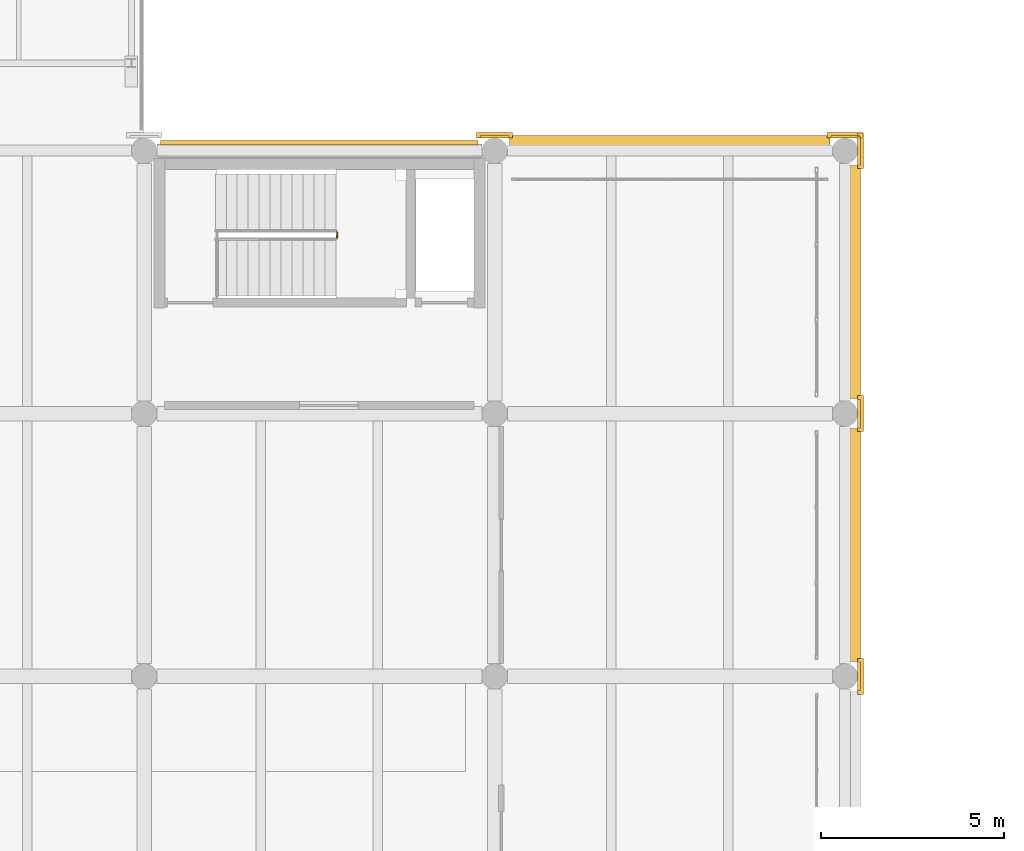
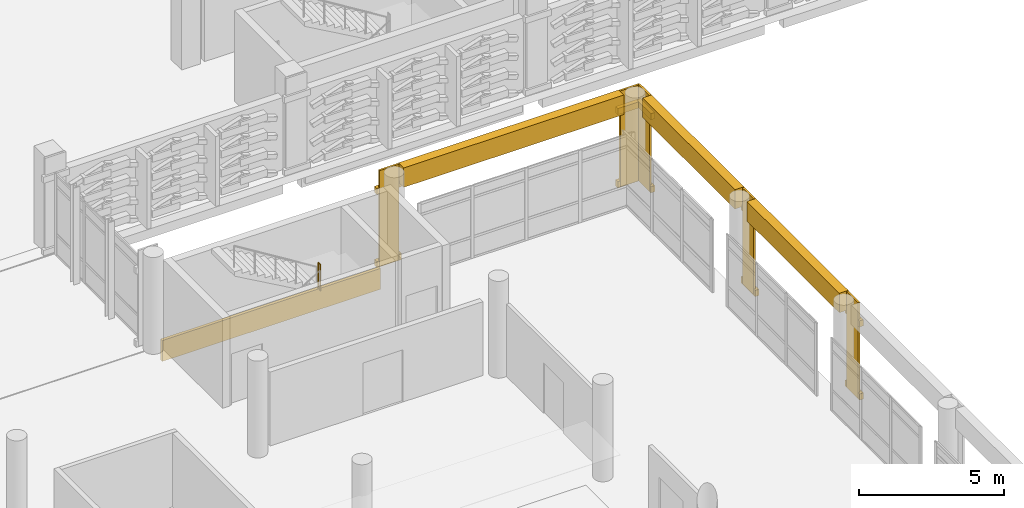
# One storey, part 164 of 180: 19 coverings, 1 railing.
"""IFC4 building model written with IfcOpenShell, lengths in metres."""

from ifc_helpers import new_model, si_unit, direction, frame, origin, origin_2d, place, context, subcontext, project, spatial, rectangle, circle, extrude, material, layer, layer_set, type_object, element, save


model = new_model("IFC4")

# Units and contexts
model_context = context("Model", 3, precision=1e-05, world=origin(), true_north=direction((0.0, 1.0)))
body_context = subcontext(model_context, "Body", "Model", "MODEL_VIEW")
ifc_project = project(units=[si_unit("LENGTHUNIT", "METRE"), si_unit("AREAUNIT", "SQUARE_METRE"), si_unit("VOLUMEUNIT", "CUBIC_METRE"), si_unit("PLANEANGLEUNIT", "RADIAN"), si_unit("MASSUNIT", "GRAM", prefix="KILO")], contexts=[model_context])

# Site, building, storey
site_placement = place(None, origin())
site = spatial("IfcSite", under=ifc_project, at=site_placement, CompositionType="ELEMENT")
building_placement = place(site_placement, origin())
building = spatial("IfcBuilding", under=site, at=building_placement, Name="Asteropetra Specialist Clinic", CompositionType="ELEMENT")
storey_placement = place(building_placement, frame((0.0, 0.0, 4.419921875)))
storey = spatial("IfcBuildingStorey", under=building, at=storey_placement, Name="L01", CompositionType="ELEMENT", Elevation=4.419921875)

# Coverings
ifc_material_1 = material(Name="Pentelic marble ashlar", Category="masonry")
ifc_layer = layer(ifc_material_1, 0.159912109375)
ifc_layer_set = layer_set([ifc_layer], Name="Pentelic marble ashlar")
covering_type = type_object("IfcCoveringType", Name="CRN-ENTAB-600", PredefinedType="MOLDING", material=ifc_layer_set)
covering_1_placement = place(storey_placement, frame((43.199951171875, 62.639892578125, 3.25), z_axis=(0.0, 0.0, 1.0), x_axis=(1.0, 0.0, 0.0)))
element("IfcCovering", 1, at=covering_1_placement, inside=storey, type_object=covering_type, Name="Stoa Classical Entablature SE-0038", PredefinedType="MOLDING", context=body_context, shape_type="SweptSolid", body=[
    extrude(rectangle(XDim=8.780029296875, YDim=0.360107421875, at=origin_2d()), origin(), (0.0, 0.0, 1.0), 0.820068359375),
])
for number, where, z_axis, x_axis, name in (
    (2, (48.239990234375, 51.60009765625, 3.25), (0.0, 0.0, 1.0), (1.0, 0.0, 0.0), "Stoa Classical Entablature SE-0043"),
    (3, (48.239990234375, 58.800048828125, 3.25), (0.0, 0.0, 1.0), (1.0, 0.0, 0.0), "Stoa Classical Entablature SE-0045"),
):
    element("IfcCovering", number, at=place(storey_placement, frame(where, z_axis=z_axis, x_axis=x_axis)), inside=storey, type_object=covering_type, Name=name, PredefinedType="MOLDING", context=body_context, shape_type="SweptSolid", body=[
        extrude(rectangle(XDim=0.360107421875, YDim=6.3798828125, at=origin_2d()), origin(), (0.0, 0.0, 1.0), 0.820068359375),
    ])
covering_2_placement = place(storey_placement, frame((38.39990234375, 62.781982421875, 0.02001953125), z_axis=(0.0, 0.0, 1.0), x_axis=(1.0, 0.0, 0.0)))
element("IfcCovering", 4, at=covering_2_placement, inside=storey, type_object=covering_type, Name="Neoclassical Pilaster Facing CM-0853", PredefinedType="MOLDING", context=body_context, shape_type="SweptSolid", body=[
    extrude(rectangle(XDim=0.780029296875, YDim=0.080078125, at=origin_2d()), origin(), (0.0, 0.0, 1.0), 4.0400390625),
])
for number, where, z_axis, x_axis, name in (
    (5, (38.39990234375, 62.822021484375, 0.01025390625), (0.0, 0.0, 1.0), (1.0, 0.0, 0.0), "Doric Base CC-0854"),
    (6, (38.39990234375, 62.822021484375, 3.08984375), (0.0, 0.0, 1.0), (1.0, 0.0, 0.0), "Doric Capital CC-0855"),
):
    element("IfcCovering", number, at=place(storey_placement, frame(where, z_axis=z_axis, x_axis=x_axis)), inside=storey, type_object=covering_type, Name=name, PredefinedType="MOLDING", context=body_context, shape_type="SweptSolid", body=[
        extrude(rectangle(XDim=0.97998046875, YDim=0.159912109375, at=origin_2d()), origin(), (0.0, 0.0, 1.0), 0.260009765625),
    ])
covering_3_placement = place(storey_placement, frame((48.382080078125, 48.0, 0.02001953125), z_axis=(0.0, 0.0, 1.0), x_axis=(1.0, 0.0, 0.0)))
element("IfcCovering", 7, at=covering_3_placement, inside=storey, type_object=covering_type, Name="Neoclassical Pilaster Facing CM-0865", PredefinedType="MOLDING", context=body_context, shape_type="SweptSolid", body=[
    extrude(rectangle(XDim=0.080078125, YDim=0.780029296875, at=origin_2d()), origin(), (0.0, 0.0, 1.0), 4.0400390625),
])
for number, where, z_axis, x_axis, name in (
    (8, (48.422119140625, 48.0, 0.01025390625), (0.0, 0.0, 1.0), (1.0, 0.0, 0.0), "Doric Base CC-0866"),
    (9, (48.422119140625, 48.0, 3.08984375), (0.0, 0.0, 1.0), (1.0, 0.0, 0.0), "Doric Capital CC-0867"),
):
    element("IfcCovering", number, at=place(storey_placement, frame(where, z_axis=z_axis, x_axis=x_axis)), inside=storey, type_object=covering_type, Name=name, PredefinedType="MOLDING", context=body_context, shape_type="SweptSolid", body=[
        extrude(rectangle(XDim=0.159912109375, YDim=0.97998046875, at=origin_2d()), origin(), (0.0, 0.0, 1.0), 0.260009765625),
    ])
covering_4_placement = place(storey_placement, frame((48.382080078125, 55.199951171875, 0.02001953125), z_axis=(0.0, 0.0, 1.0), x_axis=(1.0, 0.0, 0.0)))
element("IfcCovering", 10, at=covering_4_placement, inside=storey, type_object=covering_type, Name="Neoclassical Pilaster Facing CM-0868", PredefinedType="MOLDING", context=body_context, shape_type="SweptSolid", body=[
    extrude(rectangle(XDim=0.080078125, YDim=0.780029296875, at=origin_2d()), origin(), (0.0, 0.0, 1.0), 4.0400390625),
])
for number, where, z_axis, x_axis, name in (
    (11, (48.422119140625, 55.199951171875, 0.01025390625), (0.0, 0.0, 1.0), (1.0, 0.0, 0.0), "Doric Base CC-0869"),
    (12, (48.422119140625, 55.199951171875, 3.08984375), (0.0, 0.0, 1.0), (1.0, 0.0, 0.0), "Doric Capital CC-0870"),
):
    element("IfcCovering", number, at=place(storey_placement, frame(where, z_axis=z_axis, x_axis=x_axis)), inside=storey, type_object=covering_type, Name=name, PredefinedType="MOLDING", context=body_context, shape_type="SweptSolid", body=[
        extrude(rectangle(XDim=0.159912109375, YDim=0.97998046875, at=origin_2d()), origin(), (0.0, 0.0, 1.0), 0.260009765625),
    ])
covering_5_placement = place(storey_placement, frame((48.0, 62.781982421875, 0.02001953125), z_axis=(0.0, 0.0, 1.0), x_axis=(1.0, 0.0, 0.0)))
element("IfcCovering", 13, at=covering_5_placement, inside=storey, type_object=covering_type, Name="Neoclassical Pilaster Facing CM-0871", PredefinedType="MOLDING", context=body_context, shape_type="SweptSolid", body=[
    extrude(rectangle(XDim=0.780029296875, YDim=0.080078125, at=origin_2d()), origin(), (0.0, 0.0, 1.0), 4.0400390625),
])
for number, where, z_axis, x_axis, name in (
    (14, (48.0, 62.822021484375, 0.01025390625), (0.0, 0.0, 1.0), (1.0, 0.0, 0.0), "Doric Base CC-0872"),
    (15, (48.0, 62.822021484375, 3.08984375), (0.0, 0.0, 1.0), (1.0, 0.0, 0.0), "Doric Capital CC-0873"),
):
    element("IfcCovering", number, at=place(storey_placement, frame(where, z_axis=z_axis, x_axis=x_axis)), inside=storey, type_object=covering_type, Name=name, PredefinedType="MOLDING", context=body_context, shape_type="SweptSolid", body=[
        extrude(rectangle(XDim=0.97998046875, YDim=0.159912109375, at=origin_2d()), origin(), (0.0, 0.0, 1.0), 0.260009765625),
    ])
covering_6_placement = place(storey_placement, frame((48.382080078125, 62.39990234375, 0.02001953125), z_axis=(0.0, 0.0, 1.0), x_axis=(1.0, 0.0, 0.0)))
element("IfcCovering", 16, at=covering_6_placement, inside=storey, type_object=covering_type, Name="Neoclassical Pilaster Facing CM-0874", PredefinedType="MOLDING", context=body_context, shape_type="SweptSolid", body=[
    extrude(rectangle(XDim=0.080078125, YDim=0.780029296875, at=origin_2d()), origin(), (0.0, 0.0, 1.0), 4.0400390625),
])
for number, where, z_axis, x_axis, name in (
    (17, (48.422119140625, 62.39990234375, 0.01025390625), (0.0, 0.0, 1.0), (1.0, 0.0, 0.0), "Doric Base CC-0875"),
    (18, (48.422119140625, 62.39990234375, 3.08984375), (0.0, 0.0, 1.0), (1.0, 0.0, 0.0), "Doric Capital CC-0876"),
):
    element("IfcCovering", number, at=place(storey_placement, frame(where, z_axis=z_axis, x_axis=x_axis)), inside=storey, type_object=covering_type, Name=name, PredefinedType="MOLDING", context=body_context, shape_type="SweptSolid", body=[
        extrude(rectangle(XDim=0.159912109375, YDim=0.97998046875, at=origin_2d()), origin(), (0.0, 0.0, 1.0), 0.260009765625),
    ])
covering_7_placement = place(storey_placement, frame((33.60009765625, 62.6201171875, -0.7998046875), z_axis=(0.0, 0.0, 1.0), x_axis=(1.0, 0.0, 0.0)))
element("IfcCovering", 19, at=covering_7_placement, inside=storey, type_object=covering_type, Name="Chevron Spandrel Band CV-1847", PredefinedType="MOLDING", context=body_context, shape_type="SweptSolid", body=[
    extrude(rectangle(XDim=8.699951171875, YDim=0.1201171875, at=origin_2d()), origin(), (0.0, 0.0, 1.0), 0.8798828125),
])

# Railing
ifc_material_2 = material(Name="Steel S355 and laminated glass guard", Category="steel")
railing_type = type_object("IfcRailingType", Name="GRD-INT-1120", PredefinedType="GUARDRAIL", material=ifc_material_2)
railing_placement = place(storey_placement, frame((34.080078125, 60.02001953125, 2.0400390625)))
element("IfcRailing", 20, at=railing_placement, inside=storey, type_object=railing_type, Name="Landing Slot Guard ST05-L01", PredefinedType="GUARDRAIL", context=body_context, shape_type="SweptSolid", body=[
    extrude(circle(Radius=0.02392578125, at=origin_2d()), frame((0.0, 0.0, 1.09619140625), z_axis=(0.0, 1.0, 0.0), x_axis=(-1.0, 0.0, 0.0)), (0.0, 0.0, 1.0), 0.139892578125),
    extrude(circle(Radius=0.02099609375, at=origin_2d()), origin(), (0.0, 0.0, 1.0), 1.072021484375),
    extrude(circle(Radius=0.02099609375, at=origin_2d()), frame((0.0, 0.139892578125, 0.0)), (0.0, 0.0, 1.0), 1.072021484375),
])

save(model, "model.ifc")
